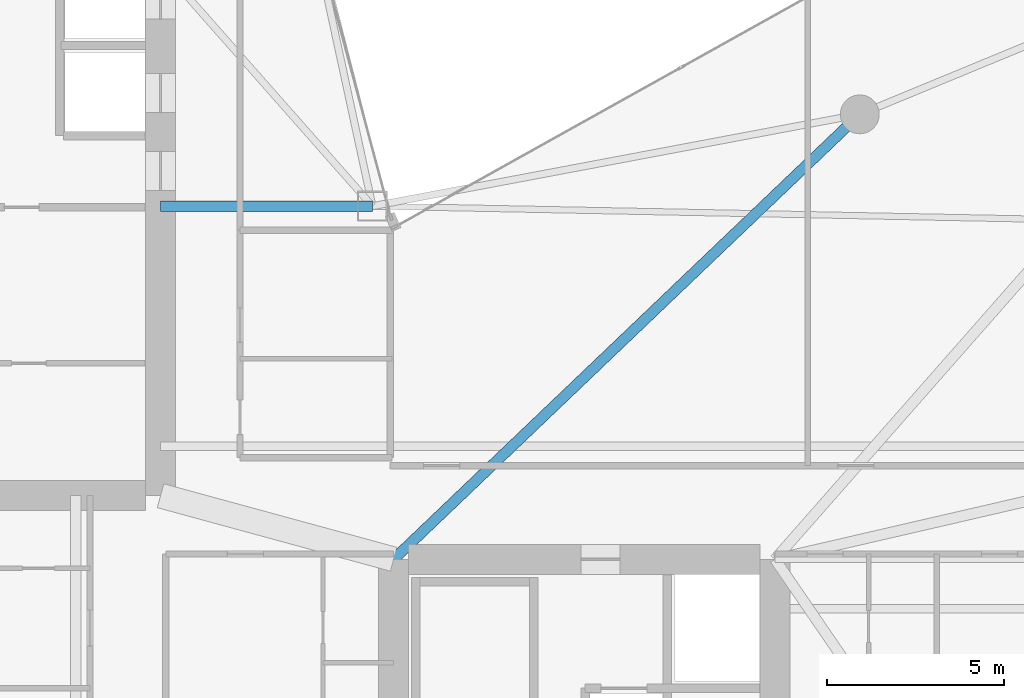
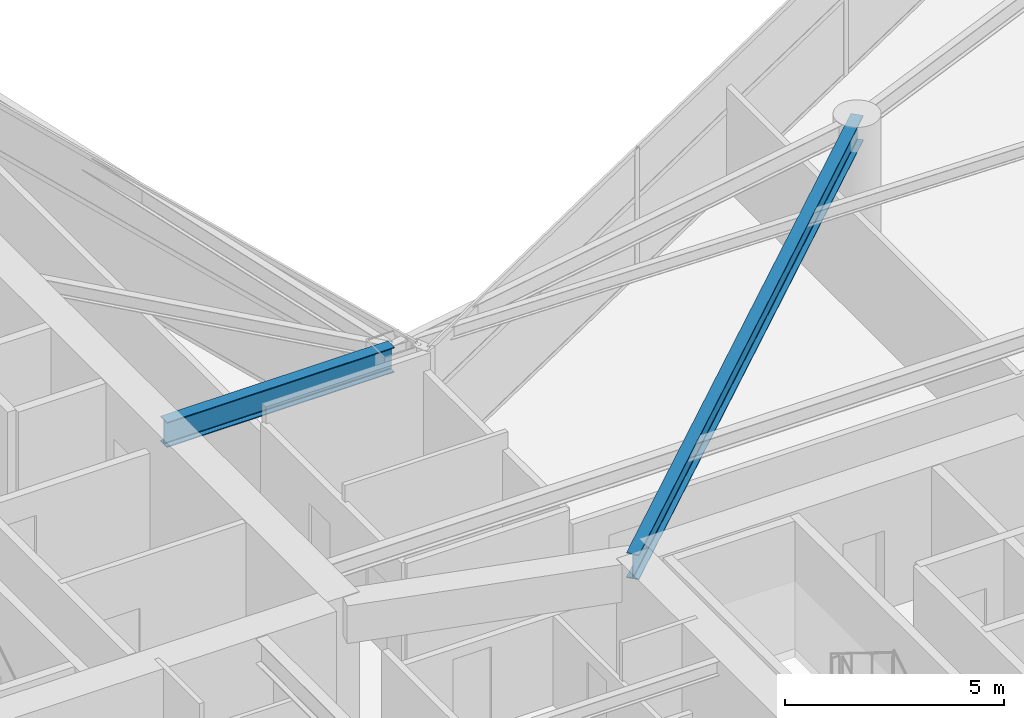
# One storey, part 9 of 29: 2 beams.
"""IFC4 building model written with IfcOpenShell, lengths in metres."""

import ifcopenshell
import ifcopenshell.guid

model = None  # the IFC model being written
_history = None  # IfcOwnerHistory: only IFC2X3 demands one
_inside = {}  # id of a spatial element -> (the spatial element, [elements in it])
_under = {}  # id of a project, library or spatial element -> (it, [spatial elements below it])
_declared = {}  # id of a project -> (the project, [libraries it declares])
_typed = {}  # id of a type object -> (the type object, [elements of that type])
_made_of = {}  # id of a material, layer set ... -> (it, [elements and type objects made of it])


def new_model(schema):
    """Start an empty IFC model of exactly this schema.

    Asked for "IFC4X3", IfcOpenShell would pick the latest addendum, in which some entities
    have other attributes; the version numbers below select the first issue.
    IFC2X3 requires an IfcOwnerHistory on every rooted entity: one is made here for all.
    """
    global model, _history
    if schema == "IFC4X3":
        model = ifcopenshell.file(schema_version=(4, 3, 0, 0))
    else:
        model = ifcopenshell.file(schema=schema)
    _inside.clear()
    _under.clear()
    _declared.clear()
    _typed.clear()
    _made_of.clear()
    _history = None
    if model.schema == "IFC2X3":
        org = make("IfcOrganization", Name="unknown")
        user = make(
            "IfcPersonAndOrganization",
            ThePerson=make("IfcPerson", FamilyName="unknown"),
            TheOrganization=org,
        )
        app = make(
            "IfcApplication",
            ApplicationDeveloper=org,
            Version="unknown",
            ApplicationFullName="unknown",
            ApplicationIdentifier="unknown",
        )
        _history = make(
            "IfcOwnerHistory",
            OwningUser=user,
            OwningApplication=app,
            ChangeAction="ADDED",
            CreationDate=0,
        )
    return model


def make(cls, **values):
    """One entity of the class cls with the attributes given. An attribute that is None is left unset."""
    return model.create_entity(
        cls, **{name: value for name, value in values.items() if value is not None}
    )


def rooted(cls, **values):
    """An entity with a GlobalId (a new one), such as an element, a storey or a relation."""
    return make(cls, GlobalId=ifcopenshell.guid.new(), OwnerHistory=_history, **values)


def si_unit(unit_type, name, prefix=None):
    """IfcSIUnit, for example si_unit("LENGTHUNIT", "METRE", prefix="MILLI")."""
    return make("IfcSIUnit", UnitType=unit_type, Prefix=prefix, Name=name)


def assignment(units):
    """IfcUnitAssignment: the units of a project."""
    return None if units is None else make("IfcUnitAssignment", Units=units)


def point(xyz):
    """IfcCartesianPoint."""
    return None if xyz is None else make("IfcCartesianPoint", Coordinates=xyz)


def direction(xyz):
    """IfcDirection."""
    return None if xyz is None else make("IfcDirection", DirectionRatios=xyz)


def frame(location, z_axis=None, x_axis=None):
    """IfcAxis2Placement3D, a coordinate frame: its origin and axes. An axis left out is left unset."""
    return make(
        "IfcAxis2Placement3D",
        Location=point(location),
        Axis=direction(z_axis),
        RefDirection=direction(x_axis),
    )


def frame_2d(location, x_axis=None):
    """IfcAxis2Placement2D, a coordinate frame in the plane: its origin and x axis."""
    return make(
        "IfcAxis2Placement2D", Location=point(location), RefDirection=direction(x_axis)
    )


def origin():
    """The frame at (0, 0, 0) with its axes left unset."""
    return frame((0.0, 0.0, 0.0))


def origin_2d():
    """The frame at (0, 0) in the plane with its x axis left unset."""
    return frame_2d((0.0, 0.0))


def place(relative_to, where):
    """IfcLocalPlacement: puts the frame where relative to a parent placement (None: the world)."""
    return make(
        "IfcLocalPlacement", PlacementRelTo=relative_to, RelativePlacement=where
    )


def context(
    kind, dimensions, precision=None, world=None, true_north=None, identifier=None
):
    """IfcGeometricRepresentationContext, for example the 3D "Model" context."""
    return make(
        "IfcGeometricRepresentationContext",
        ContextIdentifier=identifier,
        ContextType=kind,
        CoordinateSpaceDimension=dimensions,
        Precision=precision,
        WorldCoordinateSystem=world,
        TrueNorth=true_north,
    )


def subcontext(parent, identifier, kind, view, scale=None):
    """IfcGeometricRepresentationSubContext, for example "Body" below "Model"."""
    return make(
        "IfcGeometricRepresentationSubContext",
        ContextIdentifier=identifier,
        ContextType=kind,
        ParentContext=parent,
        TargetScale=scale,
        TargetView=view,
    )


def project(units=None, contexts=None):
    """IfcProject with its units and contexts."""
    return rooted(
        "IfcProject",
        Name="project",
        RepresentationContexts=contexts,
        UnitsInContext=assignment(units),
    )


def spatial(cls, under=None, at=None, **own):
    """A site, building, storey or space (cls), placed at a placement, below another one or the project."""
    s = rooted(cls, ObjectPlacement=at, **own)
    if under is not None:
        _under.setdefault(under.id(), (under, []))[1].append(s)
    return s


def profile(cls, at=None, kind="AREA", **sizes):
    """A parametric profile (cls). Its sizes go by their IFC names, for example OverallWidth=200.0."""
    return make(cls, ProfileType=kind, Position=at, **sizes)


def i_section(**sizes):
    """IfcIShapeProfileDef."""
    return profile("IfcIShapeProfileDef", **sizes)


def extrude(swept, where, along, depth):
    """IfcExtrudedAreaSolid: the profile swept, set in the frame where, extruded along a direction by depth."""
    return make(
        "IfcExtrudedAreaSolid",
        SweptArea=swept,
        Position=where,
        ExtrudedDirection=direction(along),
        Depth=depth,
    )


def shape(context_of_items, identifier, shape_type, items):
    """IfcShapeRepresentation: the items that make up one representation, for example the "Body"."""
    return make(
        "IfcShapeRepresentation",
        ContextOfItems=context_of_items,
        RepresentationIdentifier=identifier,
        RepresentationType=shape_type,
        Items=items,
    )


def material(Name=None, Category=None):
    """IfcMaterial."""
    return make("IfcMaterial", Name=Name, Category=Category)


def material_profile(
    of_material, cross_section, Name=None, Category=None, Priority=None
):
    """IfcMaterialProfile: a cross section and its material."""
    return make(
        "IfcMaterialProfile",
        Name=Name,
        Material=of_material,
        Profile=cross_section,
        Priority=Priority,
        Category=Category,
    )


def profile_set(profiles, Name=None, composite=None):
    """IfcMaterialProfileSet."""
    return make(
        "IfcMaterialProfileSet",
        Name=Name,
        MaterialProfiles=profiles,
        CompositeProfile=composite,
    )


def made_of(thing, what):
    """Note that an element or type object is made of a material, layer set ...; save() writes the relation."""
    if what is not None:
        _made_of.setdefault(what.id(), (what, []))[1].append(thing)
    return thing


def type_object(cls, material=None, **own):
    """A type object (cls), such as IfcWallType, which elements share."""
    return made_of(rooted(cls, **own), material)


def element(
    cls,
    number,
    at=None,
    inside=None,
    cuts=None,
    type_object=None,
    material=None,
    context=None,
    identifier="Body",
    shape_type=None,
    held_by="IfcProductDefinitionShape",
    body=None,
    shapes=None,
    **own,
):
    """One element of the class cls, such as IfcWall. Its Tag is "e" and its number.

    at: its placement. inside: the storey or other place that contains it. cuts: it is an
    opening in that element (IfcRelVoidsElement). A single representation is given by context,
    identifier, shape_type and body (its items); several are given by shapes. held_by: the class
    of the entity that holds the representations. save() writes the other relations.
    """
    e = rooted(cls, Tag="e%d" % number, ObjectPlacement=at, **own)
    if body is not None:
        shapes = [shape(context, identifier, shape_type, body)]
    if shapes is not None:
        e.Representation = make(held_by, Representations=shapes)
    if inside is not None:
        _inside.setdefault(inside.id(), (inside, []))[1].append(e)
    if cuts is not None:
        rooted(
            "IfcRelVoidsElement", RelatingBuildingElement=cuts, RelatedOpeningElement=e
        )
    if type_object is not None:
        _typed.setdefault(type_object.id(), (type_object, []))[1].append(e)
    return made_of(e, material)


def aggregate(whole, parts):
    """IfcRelAggregates: a whole, such as a stair, and the parts it consists of."""
    return rooted("IfcRelAggregates", RelatingObject=whole, RelatedObjects=parts)


def save(model, path):
    """Write the relations noted so far, then the file.

    IfcRelAggregates (storeys below a building ...), IfcRelContainedInSpatialStructure (elements
    in a storey), IfcRelDefinesByType, IfcRelAssociatesMaterial and IfcRelDeclares: one each for
    every whole, place, type object, material and project.
    """
    for whole, parts in _under.values():
        aggregate(whole, parts)
    for where, things in _inside.values():
        rooted(
            "IfcRelContainedInSpatialStructure",
            RelatedElements=things,
            RelatingStructure=where,
        )
    for kind, things in _typed.values():
        rooted("IfcRelDefinesByType", RelatedObjects=things, RelatingType=kind)
    for what, things in _made_of.values():
        rooted("IfcRelAssociatesMaterial", RelatedObjects=things, RelatingMaterial=what)
    for by, libraries in _declared.values():
        rooted("IfcRelDeclares", RelatingContext=by, RelatedDefinitions=libraries)
    model.write(path)


model = new_model("IFC4")

# Units and contexts
model_context = context("Model", 3, precision=1e-05, world=origin(), true_north=direction((0.0, 1.0)))
body_context = subcontext(model_context, "Body", "Model", "MODEL_VIEW")
ifc_project = project(units=[si_unit("LENGTHUNIT", "METRE"), si_unit("AREAUNIT", "SQUARE_METRE"), si_unit("VOLUMEUNIT", "CUBIC_METRE"), si_unit("PLANEANGLEUNIT", "RADIAN"), si_unit("MASSUNIT", "GRAM", prefix="KILO")], contexts=[model_context])

# Site, building, storey
site_placement = place(None, origin())
site = spatial("IfcSite", under=ifc_project, at=site_placement, CompositionType="ELEMENT")
building_placement = place(site_placement, origin())
building = spatial("IfcBuilding", under=site, at=building_placement, Name="Calvorn Quay Hotel", CompositionType="ELEMENT")
storey_placement = place(building_placement, frame((0.0, 0.0, 105.0)))
storey = spatial("IfcBuildingStorey", under=building, at=storey_placement, Name="L25", CompositionType="ELEMENT", Elevation=105.0)

# Beams
ifc_material = material(Name="Steel Q390GJC", Category="steel")
ifc_material_profile = material_profile(ifc_material, i_section(OverallWidth=0.300048828125, OverallDepth=0.699951171875, WebThickness=0.012939453125, FlangeThickness=0.02392578125, FilletRadius=0.02392578125, at=origin_2d()), Name="HN700x300x13x24")
ifc_profile_set = profile_set([ifc_material_profile], Name="Steel Q390GJC")
beam_type = type_object("IfcBeamType", Name="BM-GIRD-MAIN", PredefinedType="BEAM", material=ifc_profile_set)
beam_1_placement = place(storey_placement, frame((21.0, 25.0, 3.18994140625), z_axis=(-1.0, 0.0, 0.0), x_axis=(0.0, -1.0, 0.0)))
element("IfcBeam", 1, at=beam_1_placement, inside=storey, type_object=beam_type, Name="Beam BG-L25-W7", PredefinedType="BEAM", context=body_context, shape_type="SweptSolid", body=[
    extrude(i_section(OverallWidth=0.300048828125, OverallDepth=0.699951171875, WebThickness=0.012939453125, FlangeThickness=0.02392578125, FilletRadius=0.02392578125, at=origin_2d()), origin(), (0.0, 0.0, 1.0), 6.0),
])
beam_2_placement = place(storey_placement, frame((21.60009765625, 15.0, 3.18994140625), z_axis=(0.723351595578, 0.690479883252, 0.0), x_axis=(-0.690479883252, 0.723351595578, 0.0)))
element("IfcBeam", 2, at=beam_2_placement, inside=storey, type_object=beam_type, Name="Beam BG-L25-E4", PredefinedType="BEAM", context=body_context, shape_type="SweptSolid", body=[
    extrude(i_section(OverallWidth=0.300048828125, OverallDepth=0.699951171875, WebThickness=0.012939453125, FlangeThickness=0.02392578125, FilletRadius=0.02392578125, at=origin_2d()), origin(), (0.0, 0.0, 1.0), 18.248291015625),
])

save(model, "model.ifc")
